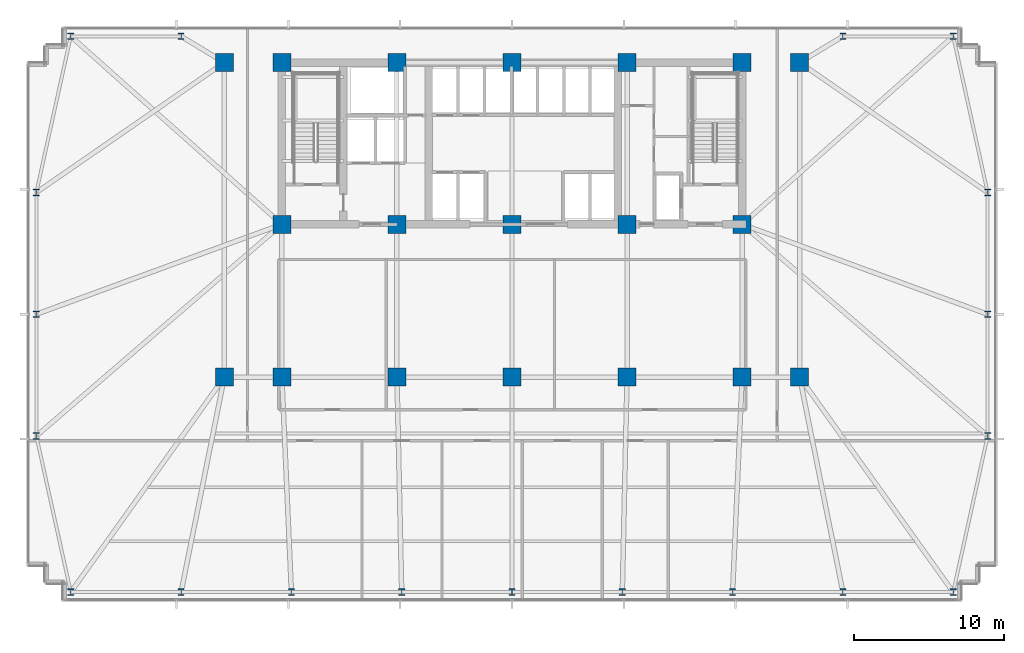
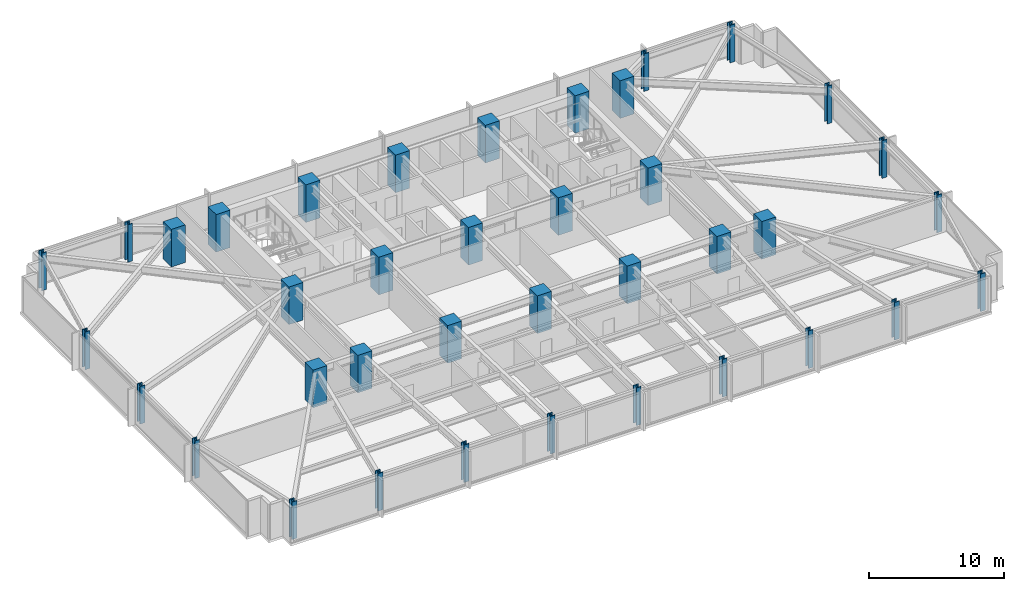
# One storey, part 1 of 33: 38 columns.
"""IFC4 building model written with IfcOpenShell, lengths in metres."""

import ifcopenshell
import ifcopenshell.guid

model = None  # the IFC model being written
_history = None  # IfcOwnerHistory: only IFC2X3 demands one
_inside = {}  # id of a spatial element -> (the spatial element, [elements in it])
_under = {}  # id of a project, library or spatial element -> (it, [spatial elements below it])
_declared = {}  # id of a project -> (the project, [libraries it declares])
_typed = {}  # id of a type object -> (the type object, [elements of that type])
_made_of = {}  # id of a material, layer set ... -> (it, [elements and type objects made of it])


def new_model(schema):
    """Start an empty IFC model of exactly this schema.

    Asked for "IFC4X3", IfcOpenShell would pick the latest addendum, in which some entities
    have other attributes; the version numbers below select the first issue.
    IFC2X3 requires an IfcOwnerHistory on every rooted entity: one is made here for all.
    """
    global model, _history
    if schema == "IFC4X3":
        model = ifcopenshell.file(schema_version=(4, 3, 0, 0))
    else:
        model = ifcopenshell.file(schema=schema)
    _inside.clear()
    _under.clear()
    _declared.clear()
    _typed.clear()
    _made_of.clear()
    _history = None
    if model.schema == "IFC2X3":
        org = make("IfcOrganization", Name="unknown")
        user = make(
            "IfcPersonAndOrganization",
            ThePerson=make("IfcPerson", FamilyName="unknown"),
            TheOrganization=org,
        )
        app = make(
            "IfcApplication",
            ApplicationDeveloper=org,
            Version="unknown",
            ApplicationFullName="unknown",
            ApplicationIdentifier="unknown",
        )
        _history = make(
            "IfcOwnerHistory",
            OwningUser=user,
            OwningApplication=app,
            ChangeAction="ADDED",
            CreationDate=0,
        )
    return model


def make(cls, **values):
    """One entity of the class cls with the attributes given. An attribute that is None is left unset."""
    return model.create_entity(
        cls, **{name: value for name, value in values.items() if value is not None}
    )


def rooted(cls, **values):
    """An entity with a GlobalId (a new one), such as an element, a storey or a relation."""
    return make(cls, GlobalId=ifcopenshell.guid.new(), OwnerHistory=_history, **values)


def si_unit(unit_type, name, prefix=None):
    """IfcSIUnit, for example si_unit("LENGTHUNIT", "METRE", prefix="MILLI")."""
    return make("IfcSIUnit", UnitType=unit_type, Prefix=prefix, Name=name)


def assignment(units):
    """IfcUnitAssignment: the units of a project."""
    return None if units is None else make("IfcUnitAssignment", Units=units)


def point(xyz):
    """IfcCartesianPoint."""
    return None if xyz is None else make("IfcCartesianPoint", Coordinates=xyz)


def direction(xyz):
    """IfcDirection."""
    return None if xyz is None else make("IfcDirection", DirectionRatios=xyz)


def frame(location, z_axis=None, x_axis=None):
    """IfcAxis2Placement3D, a coordinate frame: its origin and axes. An axis left out is left unset."""
    return make(
        "IfcAxis2Placement3D",
        Location=point(location),
        Axis=direction(z_axis),
        RefDirection=direction(x_axis),
    )


def frame_2d(location, x_axis=None):
    """IfcAxis2Placement2D, a coordinate frame in the plane: its origin and x axis."""
    return make(
        "IfcAxis2Placement2D", Location=point(location), RefDirection=direction(x_axis)
    )


def origin():
    """The frame at (0, 0, 0) with its axes left unset."""
    return frame((0.0, 0.0, 0.0))


def origin_2d():
    """The frame at (0, 0) in the plane with its x axis left unset."""
    return frame_2d((0.0, 0.0))


def place(relative_to, where):
    """IfcLocalPlacement: puts the frame where relative to a parent placement (None: the world)."""
    return make(
        "IfcLocalPlacement", PlacementRelTo=relative_to, RelativePlacement=where
    )


def context(
    kind, dimensions, precision=None, world=None, true_north=None, identifier=None
):
    """IfcGeometricRepresentationContext, for example the 3D "Model" context."""
    return make(
        "IfcGeometricRepresentationContext",
        ContextIdentifier=identifier,
        ContextType=kind,
        CoordinateSpaceDimension=dimensions,
        Precision=precision,
        WorldCoordinateSystem=world,
        TrueNorth=true_north,
    )


def subcontext(parent, identifier, kind, view, scale=None):
    """IfcGeometricRepresentationSubContext, for example "Body" below "Model"."""
    return make(
        "IfcGeometricRepresentationSubContext",
        ContextIdentifier=identifier,
        ContextType=kind,
        ParentContext=parent,
        TargetScale=scale,
        TargetView=view,
    )


def project(units=None, contexts=None):
    """IfcProject with its units and contexts."""
    return rooted(
        "IfcProject",
        Name="project",
        RepresentationContexts=contexts,
        UnitsInContext=assignment(units),
    )


def spatial(cls, under=None, at=None, **own):
    """A site, building, storey or space (cls), placed at a placement, below another one or the project."""
    s = rooted(cls, ObjectPlacement=at, **own)
    if under is not None:
        _under.setdefault(under.id(), (under, []))[1].append(s)
    return s


def profile(cls, at=None, kind="AREA", **sizes):
    """A parametric profile (cls). Its sizes go by their IFC names, for example OverallWidth=200.0."""
    return make(cls, ProfileType=kind, Position=at, **sizes)


def rectangle(**sizes):
    """IfcRectangleProfileDef."""
    return profile("IfcRectangleProfileDef", **sizes)


def i_section(**sizes):
    """IfcIShapeProfileDef."""
    return profile("IfcIShapeProfileDef", **sizes)


def extrude(swept, where, along, depth):
    """IfcExtrudedAreaSolid: the profile swept, set in the frame where, extruded along a direction by depth."""
    return make(
        "IfcExtrudedAreaSolid",
        SweptArea=swept,
        Position=where,
        ExtrudedDirection=direction(along),
        Depth=depth,
    )


def shape(context_of_items, identifier, shape_type, items):
    """IfcShapeRepresentation: the items that make up one representation, for example the "Body"."""
    return make(
        "IfcShapeRepresentation",
        ContextOfItems=context_of_items,
        RepresentationIdentifier=identifier,
        RepresentationType=shape_type,
        Items=items,
    )


def material(Name=None, Category=None):
    """IfcMaterial."""
    return make("IfcMaterial", Name=Name, Category=Category)


def material_profile(
    of_material, cross_section, Name=None, Category=None, Priority=None
):
    """IfcMaterialProfile: a cross section and its material."""
    return make(
        "IfcMaterialProfile",
        Name=Name,
        Material=of_material,
        Profile=cross_section,
        Priority=Priority,
        Category=Category,
    )


def profile_set(profiles, Name=None, composite=None):
    """IfcMaterialProfileSet."""
    return make(
        "IfcMaterialProfileSet",
        Name=Name,
        MaterialProfiles=profiles,
        CompositeProfile=composite,
    )


def made_of(thing, what):
    """Note that an element or type object is made of a material, layer set ...; save() writes the relation."""
    if what is not None:
        _made_of.setdefault(what.id(), (what, []))[1].append(thing)
    return thing


def type_object(cls, material=None, **own):
    """A type object (cls), such as IfcWallType, which elements share."""
    return made_of(rooted(cls, **own), material)


def element(
    cls,
    number,
    at=None,
    inside=None,
    cuts=None,
    type_object=None,
    material=None,
    context=None,
    identifier="Body",
    shape_type=None,
    held_by="IfcProductDefinitionShape",
    body=None,
    shapes=None,
    **own,
):
    """One element of the class cls, such as IfcWall. Its Tag is "e" and its number.

    at: its placement. inside: the storey or other place that contains it. cuts: it is an
    opening in that element (IfcRelVoidsElement). A single representation is given by context,
    identifier, shape_type and body (its items); several are given by shapes. held_by: the class
    of the entity that holds the representations. save() writes the other relations.
    """
    e = rooted(cls, Tag="e%d" % number, ObjectPlacement=at, **own)
    if body is not None:
        shapes = [shape(context, identifier, shape_type, body)]
    if shapes is not None:
        e.Representation = make(held_by, Representations=shapes)
    if inside is not None:
        _inside.setdefault(inside.id(), (inside, []))[1].append(e)
    if cuts is not None:
        rooted(
            "IfcRelVoidsElement", RelatingBuildingElement=cuts, RelatedOpeningElement=e
        )
    if type_object is not None:
        _typed.setdefault(type_object.id(), (type_object, []))[1].append(e)
    return made_of(e, material)


def aggregate(whole, parts):
    """IfcRelAggregates: a whole, such as a stair, and the parts it consists of."""
    return rooted("IfcRelAggregates", RelatingObject=whole, RelatedObjects=parts)


def save(model, path):
    """Write the relations noted so far, then the file.

    IfcRelAggregates (storeys below a building ...), IfcRelContainedInSpatialStructure (elements
    in a storey), IfcRelDefinesByType, IfcRelAssociatesMaterial and IfcRelDeclares: one each for
    every whole, place, type object, material and project.
    """
    for whole, parts in _under.values():
        aggregate(whole, parts)
    for where, things in _inside.values():
        rooted(
            "IfcRelContainedInSpatialStructure",
            RelatedElements=things,
            RelatingStructure=where,
        )
    for kind, things in _typed.values():
        rooted("IfcRelDefinesByType", RelatedObjects=things, RelatingType=kind)
    for what, things in _made_of.values():
        rooted("IfcRelAssociatesMaterial", RelatedObjects=things, RelatingMaterial=what)
    for by, libraries in _declared.values():
        rooted("IfcRelDeclares", RelatingContext=by, RelatedDefinitions=libraries)
    model.write(path)


model = new_model("IFC4")

# Units and contexts
model_context = context("Model", 3, precision=1e-05, world=origin(), true_north=direction((0.0, 1.0)))
body_context = subcontext(model_context, "Body", "Model", "MODEL_VIEW")
ifc_project = project(units=[si_unit("LENGTHUNIT", "METRE"), si_unit("AREAUNIT", "SQUARE_METRE"), si_unit("VOLUMEUNIT", "CUBIC_METRE"), si_unit("PLANEANGLEUNIT", "RADIAN"), si_unit("MASSUNIT", "GRAM", prefix="KILO")], contexts=[model_context])

# Site, building, storey
site_placement = place(None, origin())
site = spatial("IfcSite", under=ifc_project, at=site_placement, CompositionType="ELEMENT")
building_placement = place(site_placement, origin())
building = spatial("IfcBuilding", under=site, at=building_placement, Name="Yelkora Congress Tower", CompositionType="ELEMENT")
storey_placement = place(building_placement, frame((0.0, 0.0, 37.199951171875)))
storey = spatial("IfcBuildingStorey", under=building, at=storey_placement, Name="L08", CompositionType="ELEMENT", Elevation=37.199951171875)

# Columns
ifc_material_1 = material(Name="Steel S460M", Category="steel")
ifc_material_profile_1 = material_profile(ifc_material_1, i_section(OverallWidth=0.41796875, OverallDepth=0.455078125, WebThickness=0.0419921875, FlangeThickness=0.068115234375, FilletRadius=0.014892578125, at=origin_2d()), Name="HD 400x551")
ifc_profile_set_1 = profile_set([ifc_material_profile_1], Name="Steel S460M")
column_type_1 = type_object("IfcColumnType", Name="COL-HD-551-EXT", PredefinedType="COLUMN", material=ifc_profile_set_1)
for number, where, z_axis, x_axis, name in (
    (1, (8.949951171875, 10.85009765625, 0.0), (0.0, 0.0, 1.0), (1.0, 0.0, 0.0), "L08 Perimeter Column S01"),
    (2, (16.3125, 10.85009765625, 0.0), (0.0, 0.0, 1.0), (1.0, 0.0, 0.0), "L08 Perimeter Column S02"),
    (3, (23.675048828125, 10.85009765625, 0.0), (0.0, 0.0, 1.0), (1.0, 0.0, 0.0), "L08 Perimeter Column S03"),
    (4, (31.03759765625, 10.85009765625, 0.0), (0.0, 0.0, 1.0), (1.0, 0.0, 0.0), "L08 Perimeter Column S04"),
    (5, (38.39990234375, 10.85009765625, 0.0), (0.0, 0.0, 1.0), (1.0, 0.0, 0.0), "L08 Perimeter Column S05"),
    (6, (45.762451171875, 10.85009765625, 0.0), (0.0, 0.0, 1.0), (1.0, 0.0, 0.0), "L08 Perimeter Column S06"),
    (7, (53.125, 10.85009765625, 0.0), (0.0, 0.0, 1.0), (1.0, 0.0, 0.0), "L08 Perimeter Column S07"),
    (8, (60.487548828125, 10.85009765625, 0.0), (0.0, 0.0, 1.0), (1.0, 0.0, 0.0), "L08 Perimeter Column S08"),
    (9, (67.85009765625, 10.85009765625, 0.0), (0.0, 0.0, 1.0), (1.0, 0.0, 0.0), "L08 Perimeter Column S09"),
    (10, (8.949951171875, 47.949951171875, 0.0), (0.0, 0.0, 1.0), (1.0, 0.0, 0.0), "L08 Perimeter Column N01"),
    (11, (16.3125, 47.949951171875, 0.0), (0.0, 0.0, 1.0), (1.0, 0.0, 0.0), "L08 Perimeter Column N02"),
    (12, (60.487548828125, 47.949951171875, 0.0), (0.0, 0.0, 1.0), (1.0, 0.0, 0.0), "L08 Perimeter Column N08"),
    (13, (67.85009765625, 47.949951171875, 0.0), (0.0, 0.0, 1.0), (1.0, 0.0, 0.0), "L08 Perimeter Column N09"),
    (14, (6.64990234375, 21.27490234375, 0.0), (0.0, 0.0, 1.0), (1.0, 0.0, 0.0), "L08 Perimeter Column W01"),
    (15, (70.14990234375, 21.27490234375, 0.0), (0.0, 0.0, 1.0), (1.0, 0.0, 0.0), "L08 Perimeter Column E01"),
    (16, (6.64990234375, 29.39990234375, 0.0), (0.0, 0.0, 1.0), (1.0, 0.0, 0.0), "L08 Perimeter Column W02"),
    (17, (70.14990234375, 29.39990234375, 0.0), (0.0, 0.0, 1.0), (1.0, 0.0, 0.0), "L08 Perimeter Column E02"),
    (18, (6.64990234375, 37.52490234375, 0.0), (0.0, 0.0, 1.0), (1.0, 0.0, 0.0), "L08 Perimeter Column W03"),
    (19, (70.14990234375, 37.52490234375, 0.0), (0.0, 0.0, 1.0), (1.0, 0.0, 0.0), "L08 Perimeter Column E03"),
):
    element("IfcColumn", number, at=place(storey_placement, frame(where, z_axis=z_axis, x_axis=x_axis)), inside=storey, type_object=column_type_1, Name=name, PredefinedType="COLUMN", context=body_context, shape_type="SweptSolid", body=[
        extrude(i_section(OverallWidth=0.41796875, OverallDepth=0.455078125, WebThickness=0.0419921875, FlangeThickness=0.068115234375, FilletRadius=0.014892578125, at=origin_2d()), origin(), (0.0, 0.0, 1.0), 3.400146484375),
    ])
ifc_material_2 = material(Name="Concrete C60/75", Category="concrete")
ifc_material_profile_2 = material_profile(ifc_material_2, rectangle(XDim=1.199951171875, YDim=1.199951171875, at=origin_2d()), Name="RC 1200x1200")
ifc_profile_set_2 = profile_set([ifc_material_profile_2], Name="Concrete C60/75")
column_type_2 = type_object("IfcColumnType", Name="COL-RC-1200", PredefinedType="COLUMN", material=ifc_profile_set_2)
for number, where, z_axis, x_axis, name in (
    (20, (23.0400390625, 35.39990234375, 0.0), (0.0, 0.0, 1.0), (1.0, 0.0, 0.0), "L08 Mega Column MC-S1"),
    (21, (23.0400390625, 46.199951171875, 0.0), (0.0, 0.0, 1.0), (1.0, 0.0, 0.0), "L08 Mega Column MC-N1"),
    (22, (23.0400390625, 25.199951171875, 0.0), (0.0, 0.0, 1.0), (1.0, 0.0, 0.0), "L08 Mega Column MC-D1"),
    (23, (30.719970703125, 35.39990234375, 0.0), (0.0, 0.0, 1.0), (1.0, 0.0, 0.0), "L08 Mega Column MC-S2"),
    (24, (30.719970703125, 46.199951171875, 0.0), (0.0, 0.0, 1.0), (1.0, 0.0, 0.0), "L08 Mega Column MC-N2"),
    (25, (30.719970703125, 25.199951171875, 0.0), (0.0, 0.0, 1.0), (1.0, 0.0, 0.0), "L08 Mega Column MC-D2"),
    (26, (38.39990234375, 35.39990234375, 0.0), (0.0, 0.0, 1.0), (1.0, 0.0, 0.0), "L08 Mega Column MC-S3"),
    (27, (38.39990234375, 46.199951171875, 0.0), (0.0, 0.0, 1.0), (1.0, 0.0, 0.0), "L08 Mega Column MC-N3"),
    (28, (38.39990234375, 25.199951171875, 0.0), (0.0, 0.0, 1.0), (1.0, 0.0, 0.0), "L08 Mega Column MC-D3"),
    (29, (46.080078125, 35.39990234375, 0.0), (0.0, 0.0, 1.0), (1.0, 0.0, 0.0), "L08 Mega Column MC-S4"),
    (30, (46.080078125, 46.199951171875, 0.0), (0.0, 0.0, 1.0), (1.0, 0.0, 0.0), "L08 Mega Column MC-N4"),
    (31, (46.080078125, 25.199951171875, 0.0), (0.0, 0.0, 1.0), (1.0, 0.0, 0.0), "L08 Mega Column MC-D4"),
    (32, (53.760009765625, 35.39990234375, 0.0), (0.0, 0.0, 1.0), (1.0, 0.0, 0.0), "L08 Mega Column MC-S5"),
    (33, (53.760009765625, 46.199951171875, 0.0), (0.0, 0.0, 1.0), (1.0, 0.0, 0.0), "L08 Mega Column MC-N5"),
    (34, (53.760009765625, 25.199951171875, 0.0), (0.0, 0.0, 1.0), (1.0, 0.0, 0.0), "L08 Mega Column MC-D5"),
    (35, (19.199951171875, 25.199951171875, 0.0), (0.0, 0.0, 1.0), (1.0, 0.0, 0.0), "L08 Mega Column MC-F1"),
    (36, (57.60009765625, 25.199951171875, 0.0), (0.0, 0.0, 1.0), (1.0, 0.0, 0.0), "L08 Mega Column MC-F2"),
    (37, (19.199951171875, 46.199951171875, 0.0), (0.0, 0.0, 1.0), (1.0, 0.0, 0.0), "L08 Mega Column MC-F3"),
    (38, (57.60009765625, 46.199951171875, 0.0), (0.0, 0.0, 1.0), (1.0, 0.0, 0.0), "L08 Mega Column MC-F4"),
):
    element("IfcColumn", number, at=place(storey_placement, frame(where, z_axis=z_axis, x_axis=x_axis)), inside=storey, type_object=column_type_2, Name=name, PredefinedType="COLUMN", context=body_context, shape_type="SweptSolid", body=[
        extrude(rectangle(XDim=1.199951171875, YDim=1.199951171875, at=origin_2d()), origin(), (0.0, 0.0, 1.0), 3.400146484375),
    ])

save(model, "model.ifc")
